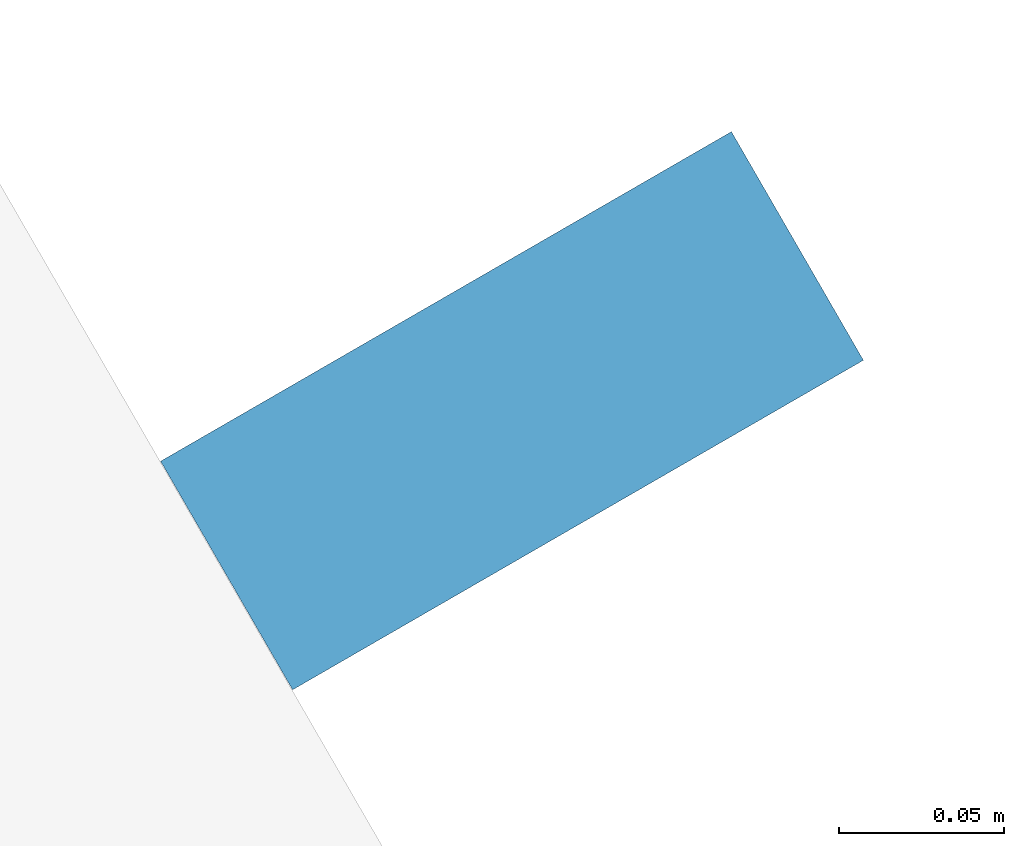
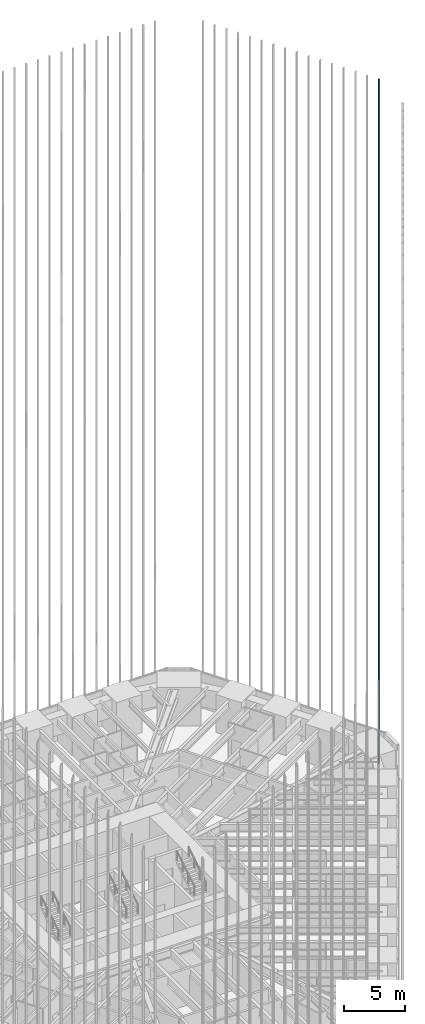
# One storey, part 198 of 256: 1 member, 1 element without a shape of its own.
"""IFC4 building model written with IfcOpenShell, lengths in metres."""

from ifc_helpers import new_model, si_unit, direction, frame, origin, origin_2d, place, context, subcontext, project, spatial, rectangle, extrude, material, material_profile, profile_set, type_object, element, aggregate, save


model = new_model("IFC4")

# Units and contexts
model_context = context("Model", 3, precision=1e-05, world=origin(), true_north=direction((0.0, 1.0)))
body_context = subcontext(model_context, "Body", "Model", "MODEL_VIEW")
ifc_project = project(units=[si_unit("LENGTHUNIT", "METRE"), si_unit("AREAUNIT", "SQUARE_METRE"), si_unit("VOLUMEUNIT", "CUBIC_METRE"), si_unit("PLANEANGLEUNIT", "RADIAN"), si_unit("MASSUNIT", "GRAM", prefix="KILO")], contexts=[model_context])

# Site, building, storey
site_placement = place(None, origin())
site = spatial("IfcSite", under=ifc_project, at=site_placement, CompositionType="ELEMENT")
building_placement = place(site_placement, origin())
building = spatial("IfcBuilding", under=site, at=building_placement, Name="Sandreach Pilgrim Tower", CompositionType="ELEMENT")
storey_placement = place(building_placement, frame((0.0, 0.0, 23.0)))
storey = spatial("IfcBuildingStorey", under=building, at=storey_placement, Name="L04", CompositionType="ELEMENT", Elevation=23.0)

# Curtain wall, member
ifc_material_1 = material(Name="Aluminium framed curtain wall", Category="aluminium")
curtain_wall_type = type_object("IfcCurtainWallType", Name="Hostel tower curtain wall", PredefinedType="NOTDEFINED", material=ifc_material_1)
curtain_wall_placement = place(storey_placement, origin())
curtain_wall = element("IfcCurtainWall", 1, at=curtain_wall_placement, inside=storey, type_object=curtain_wall_type, Name="CW-1 L04 NE", PredefinedType="NOTDEFINED")
ifc_material_2 = material(Name="Extruded terracotta on aluminium core", Category="masonry")
ifc_material_profile = material_profile(ifc_material_2, rectangle(XDim=0.080078125, YDim=0.199951171875, at=origin_2d()), Name="TBE 80X200")
ifc_profile_set = profile_set([ifc_material_profile], Name="Extruded terracotta on aluminium core")
member_type = type_object("IfcMemberType", Name="Terracotta baguette east", PredefinedType="USERDEFINED", material=ifc_profile_set)
member_placement = place(storey_placement, frame((30.485107421875, 8.020263671875, 0.0), z_axis=(0.0, 0.0, 1.0), x_axis=(0.5, -0.866025403784, 0.0)))
member = element("IfcMember", 2, at=member_placement, type_object=member_type, Name="Baguette Z1 NE16", ObjectType="BAGUETTE", PredefinedType="USERDEFINED", context=body_context, shape_type="SweptSolid", body=[
    extrude(rectangle(XDim=0.080078125, YDim=0.199951171875, at=origin_2d()), origin(), (0.0, 0.0, 1.0), 68.239990234375),
])
aggregate(curtain_wall, [member])

save(model, "model.ifc")
